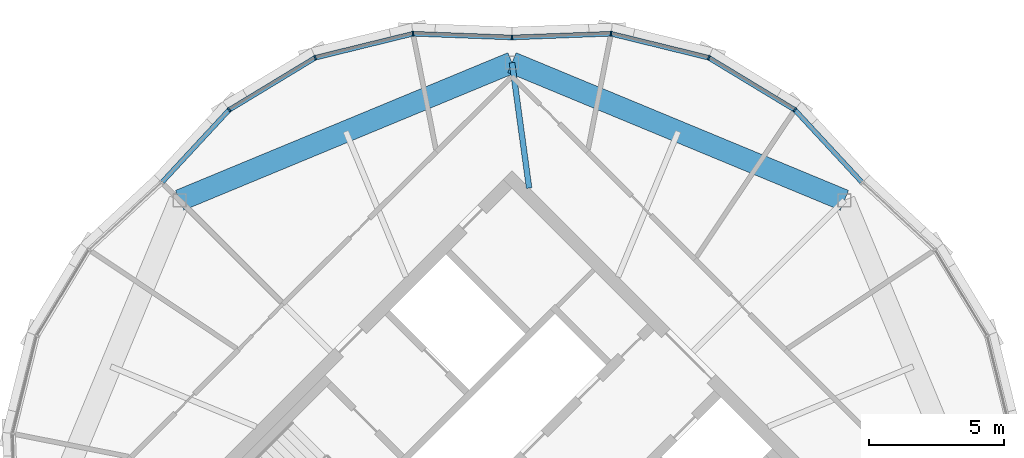
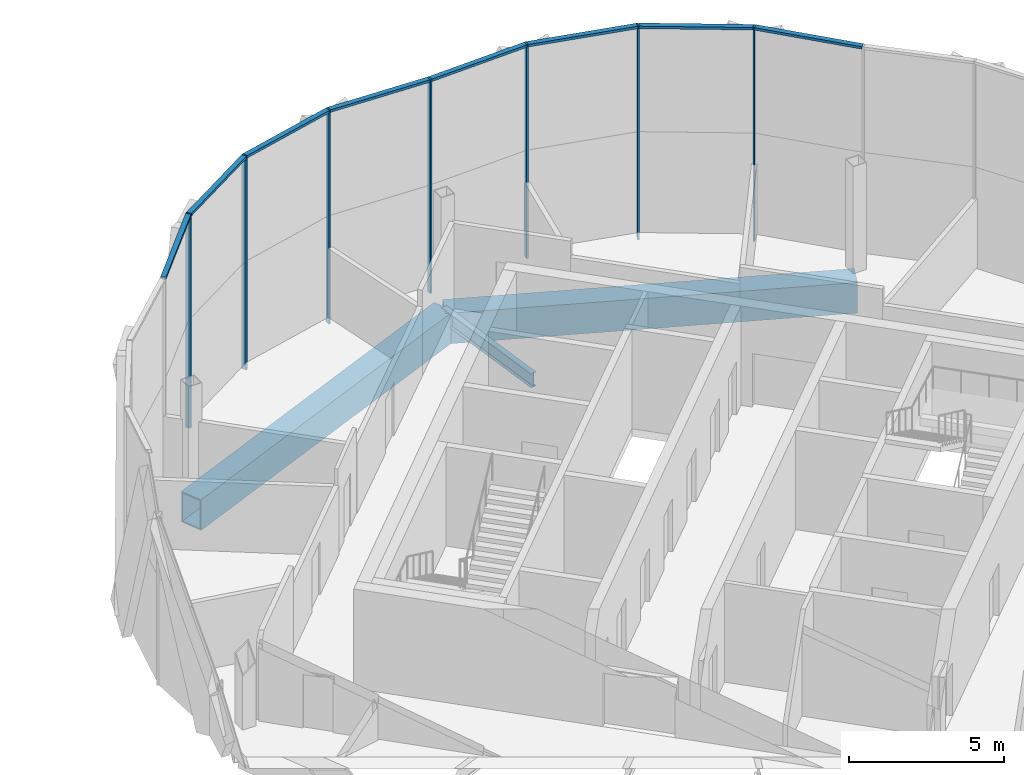
# One storey, part 11 of 22: 15 members, 3 beams, 2 elements without a shape of their own.
"""IFC4 building model written with IfcOpenShell, lengths in metres."""

from ifc_helpers import new_model, si_unit, direction, frame, origin, origin_2d, place, context, subcontext, project, spatial, rectangle, hollow_rectangle, i_section, extrude, material, material_profile, profile_set, type_object, element, aggregate, save


model = new_model("IFC4")

# Units and contexts
model_context = context("Model", 3, precision=1e-05, world=origin(), true_north=direction((0.0, 1.0)))
body_context = subcontext(model_context, "Body", "Model", "MODEL_VIEW")
ifc_project = project(units=[si_unit("LENGTHUNIT", "METRE"), si_unit("AREAUNIT", "SQUARE_METRE"), si_unit("VOLUMEUNIT", "CUBIC_METRE"), si_unit("PLANEANGLEUNIT", "RADIAN"), si_unit("MASSUNIT", "GRAM", prefix="KILO")], contexts=[model_context])

# Site, building, storey
site_placement = place(None, origin())
site = spatial("IfcSite", under=ifc_project, at=site_placement, CompositionType="ELEMENT")
building_placement = place(site_placement, origin())
building = spatial("IfcBuilding", under=site, at=building_placement, Name="Ogive Gate Towers", CompositionType="ELEMENT")
storey_placement = place(building_placement, frame((0.0, 0.0, 285.60009765625)))
storey = spatial("IfcBuildingStorey", under=building, at=storey_placement, Name="L67", CompositionType="ELEMENT", Elevation=285.60009765625)

# Beams
ifc_material_1 = material(Name="Steel SM460", Category="steel")
ifc_material_profile_1 = material_profile(ifc_material_1, hollow_rectangle(XDim=0.800048828125, YDim=1.199951171875, WallThickness=0.050048828125, at=origin_2d()), Name="BX 1200x800x50")
ifc_profile_set_1 = profile_set([ifc_material_profile_1], Name="Steel SM460")
beam_type_1 = type_object("IfcBeamType", Name="Edge girder BX 1200x800x50", PredefinedType="BEAM", material=ifc_profile_set_1)
for number, where, z_axis, x_axis, name in (
    (1, (48.342529296875, 12.342529296875, -0.900146484375), (-0.923876732551, 0.382690191996, 0.0), (-0.382690191996, -0.923876732551, 0.0), "T2/L67/SBM021"),
    (2, (36.0, 17.455078125, -0.900146484375), (-0.923876732551, -0.382690191996, 0.0), (0.382690191996, -0.923876732551, 0.0), "T2/L67/SBM022"),
):
    element("IfcBeam", number, at=place(storey_placement, frame(where, z_axis=z_axis, x_axis=x_axis)), inside=storey, type_object=beam_type_1, Name=name, PredefinedType="BEAM", context=body_context, shape_type="SweptSolid", body=[
        extrude(hollow_rectangle(XDim=0.800048828125, YDim=1.199951171875, WallThickness=0.050048828125, at=origin_2d()), origin(), (0.0, 0.0, 1.0), 13.359619140625),
    ])
ifc_material_2 = material(Name="Steel SM355", Category="steel")
ifc_material_profile_2 = material_profile(ifc_material_2, i_section(OverallWidth=0.2099609375, OverallDepth=0.550048828125, WebThickness=0.010986328125, FlangeThickness=0.01708984375, FilletRadius=0.02392578125, at=origin_2d()), Name="IPE 550")
ifc_profile_set_2 = profile_set([ifc_material_profile_2], Name="Steel SM355")
beam_type_2 = type_object("IfcBeamType", Name="Radial floor beam IPE 550", PredefinedType="BEAM", material=ifc_profile_set_2)
beam_placement = place(storey_placement, frame((36.636474609375, 12.798583984375, -0.5751953125), z_axis=(-0.135426145155, 0.99078744401, 0.0), x_axis=(-0.99078744401, -0.135426145155, 0.0)))
element("IfcBeam", 3, at=beam_placement, inside=storey, type_object=beam_type_2, Name="T2/L67/SBM011", PredefinedType="BEAM", context=body_context, shape_type="SweptSolid", body=[
    extrude(i_section(OverallWidth=0.2099609375, OverallDepth=0.550048828125, WebThickness=0.010986328125, FlangeThickness=0.01708984375, FilletRadius=0.02392578125, at=origin_2d()), origin(), (0.0, 0.0, 1.0), 4.69970703125),
])

# Curtain wall, members
ifc_material_3 = material(Name="Pale metal aluminium", Category="aluminium")
curtain_wall_type = type_object("IfcCurtainWallType", Name="Tower unitised wall, high zone", PredefinedType="NOTDEFINED", material=ifc_material_3)
curtain_wall_1_placement = place(storey_placement, origin())
curtain_wall_1 = element("IfcCurtainWall", 4, at=curtain_wall_1_placement, inside=storey, type_object=curtain_wall_type, Name="CW2 T2 ECW02", PredefinedType="NOTDEFINED")
ifc_material_profile_3 = material_profile(ifc_material_3, rectangle(XDim=0.179931640625, YDim=0.06005859375, at=origin_2d()), Name="60 x 180 aluminium box")
ifc_profile_set_3 = profile_set([ifc_material_profile_3], Name="Pale metal aluminium")
member_type_1 = type_object("IfcMemberType", Name="Tower unitised wall, high zone mullion 60 x 180", PredefinedType="MULLION", material=ifc_profile_set_3)
member_1_placement = place(storey_placement, frame((46.502197265625, 15.7021484375, -0.300048828125), z_axis=(0.0, 0.0, 1.0), x_axis=(0.631812872699, 0.775120954363, 0.0)))
member_1 = element("IfcMember", 5, at=member_1_placement, type_object=member_type_1, Name="CW2 mullion", PredefinedType="MULLION", context=body_context, shape_type="SweptSolid", body=[
    extrude(rectangle(XDim=0.179931640625, YDim=0.06005859375, at=origin_2d()), origin(), (0.0, 0.0, 1.0), 8.39990234375),
])
member_2_placement = place(storey_placement, frame((43.305908203125, 17.637939453125, -0.300048828125), z_axis=(0.0, 0.0, 1.0), x_axis=(0.382683432365, 0.923879532511, 0.0)))
member_2 = element("IfcMember", 6, at=member_2_placement, type_object=member_type_1, Name="CW2 mullion", PredefinedType="MULLION", context=body_context, shape_type="SweptSolid", body=[
    extrude(rectangle(XDim=0.179931640625, YDim=0.06005859375, at=origin_2d()), origin(), (0.0, 0.0, 1.0), 8.39990234375),
])
member_3_placement = place(storey_placement, frame((39.677001953125, 18.529296875, -0.300048828125), z_axis=(0.0, 0.0, 1.0), x_axis=(0.101351479779, 0.99485068103, 0.0)))
member_3 = element("IfcMember", 7, at=member_3_placement, type_object=member_type_1, Name="CW2 mullion", PredefinedType="MULLION", context=body_context, shape_type="SweptSolid", body=[
    extrude(rectangle(XDim=0.179931640625, YDim=0.06005859375, at=origin_2d()), origin(), (0.0, 0.0, 1.0), 8.39990234375),
])
member_4_placement = place(storey_placement, frame((36.00048828125, 18.39013671875, -0.300048828125), z_axis=(0.0, 0.0, 1.0), x_axis=(-0.037794827812, 0.999285520255, 0.0)))
member_4 = element("IfcMember", 8, at=member_4_placement, type_object=member_type_1, Name="CW2 mullion", PredefinedType="MULLION", context=body_context, shape_type="SweptSolid", body=[
    extrude(rectangle(XDim=0.179931640625, YDim=0.06005859375, at=origin_2d()), origin(), (0.0, 0.0, 1.0), 8.39990234375),
])

curtain_wall_2_placement = place(storey_placement, origin())
curtain_wall_2 = element("IfcCurtainWall", 9, at=curtain_wall_2_placement, inside=storey, type_object=curtain_wall_type, Name="CW2 T2 ECW03", PredefinedType="NOTDEFINED")
member_5_placement = place(storey_placement, frame((32.322998046875, 18.529296875, -0.300048828125), z_axis=(0.0, 0.0, 1.0), x_axis=(-0.101351479779, 0.99485068103, 0.0)))
member_5 = element("IfcMember", 10, at=member_5_placement, type_object=member_type_1, Name="CW2 mullion", PredefinedType="MULLION", context=body_context, shape_type="SweptSolid", body=[
    extrude(rectangle(XDim=0.179931640625, YDim=0.06005859375, at=origin_2d()), origin(), (0.0, 0.0, 1.0), 8.39990234375),
])
member_6_placement = place(storey_placement, frame((28.694091796875, 17.637939453125, -0.300048828125), z_axis=(0.0, 0.0, 1.0), x_axis=(-0.382683432365, 0.923879532511, 0.0)))
member_6 = element("IfcMember", 11, at=member_6_placement, type_object=member_type_1, Name="CW2 mullion", PredefinedType="MULLION", context=body_context, shape_type="SweptSolid", body=[
    extrude(rectangle(XDim=0.179931640625, YDim=0.06005859375, at=origin_2d()), origin(), (0.0, 0.0, 1.0), 8.39990234375),
])
member_7_placement = place(storey_placement, frame((25.497802734375, 15.7021484375, -0.300048828125), z_axis=(0.0, 0.0, 1.0), x_axis=(-0.631812872699, 0.775120954363, 0.0)))
member_7 = element("IfcMember", 12, at=member_7_placement, type_object=member_type_1, Name="CW2 mullion", PredefinedType="MULLION", context=body_context, shape_type="SweptSolid", body=[
    extrude(rectangle(XDim=0.179931640625, YDim=0.06005859375, at=origin_2d()), origin(), (0.0, 0.0, 1.0), 8.39990234375),
])

# Member
ifc_material_profile_4 = material_profile(ifc_material_3, rectangle(XDim=0.179931640625, YDim=0.10009765625, at=origin_2d()), Name="100 x 180 aluminium box")
ifc_profile_set_4 = profile_set([ifc_material_profile_4], Name="Pale metal aluminium")
member_type_2 = type_object("IfcMemberType", Name="Tower unitised wall, high zone transom 100 x 180", PredefinedType="USERDEFINED", material=ifc_profile_set_4)
member_8_placement = place(storey_placement, frame((48.983154296875, 13.02587890625, 8.0498046875), z_axis=(-0.679866392471, 0.733335999654, 0.0), x_axis=(-0.733335999654, -0.679866392471, 0.0)))
member_8 = element("IfcMember", 13, at=member_8_placement, type_object=member_type_2, Name="CW2 transom", ObjectType="TRANSOM", PredefinedType="USERDEFINED", context=body_context, shape_type="SweptSolid", body=[
    extrude(rectangle(XDim=0.179931640625, YDim=0.10009765625, at=origin_2d()), origin(), (0.0, 0.0, 1.0), 3.620849609375),
])

member_9_placement = place(storey_placement, frame((46.477783203125, 15.716796875, 8.0498046875), z_axis=(-0.855372442669, 0.518013498205, 0.0), x_axis=(-0.518013498205, -0.855372442669, 0.0)))
member_9 = element("IfcMember", 14, at=member_9_placement, type_object=member_type_2, Name="CW2 transom", ObjectType="TRANSOM", PredefinedType="USERDEFINED", context=body_context, shape_type="SweptSolid", body=[
    extrude(rectangle(XDim=0.179931640625, YDim=0.10009765625, at=origin_2d()), origin(), (0.0, 0.0, 1.0), 3.679931640625),
])

member_10_placement = place(storey_placement, frame((43.2783203125, 17.64453125, 8.0498046875), z_axis=(-0.971141005493, 0.238506074242, 0.0), x_axis=(-0.238506074242, -0.971141005493, 0.0)))
member_10 = element("IfcMember", 15, at=member_10_placement, type_object=member_type_2, Name="CW2 transom", ObjectType="TRANSOM", PredefinedType="USERDEFINED", context=body_context, shape_type="SweptSolid", body=[
    extrude(rectangle(XDim=0.179931640625, YDim=0.10009765625, at=origin_2d()), origin(), (0.0, 0.0, 1.0), 3.679931640625),
])

member_11_placement = place(storey_placement, frame((39.648193359375, 18.528076171875, 8.0498046875), z_axis=(-0.999284103916, -0.03783225687, 0.0), x_axis=(0.03783225687, -0.999284103916, 0.0)))
member_11 = element("IfcMember", 16, at=member_11_placement, type_object=member_type_2, Name="CW2 transom", ObjectType="TRANSOM", PredefinedType="USERDEFINED", context=body_context, shape_type="SweptSolid", body=[
    extrude(rectangle(XDim=0.179931640625, YDim=0.10009765625, at=origin_2d()), origin(), (0.0, 0.0, 1.0), 3.620361328125),
])

aggregate(curtain_wall_1, [member_1, member_8, member_2, member_9, member_3, member_10, member_4, member_11])

member_12_placement = place(storey_placement, frame((35.969482421875, 18.39111328125, 8.0498046875), z_axis=(-0.999284103916, 0.03783225687, 0.0), x_axis=(-0.03783225687, -0.999284103916, 0.0)))
member_12 = element("IfcMember", 17, at=member_12_placement, type_object=member_type_2, Name="CW2 transom", ObjectType="TRANSOM", PredefinedType="USERDEFINED", context=body_context, shape_type="SweptSolid", body=[
    extrude(rectangle(XDim=0.179931640625, YDim=0.10009765625, at=origin_2d()), origin(), (0.0, 0.0, 1.0), 3.620361328125),
])

member_13_placement = place(storey_placement, frame((32.29541015625, 18.522216796875, 8.0498046875), z_axis=(-0.971141005493, -0.238506074242, 0.0), x_axis=(0.238506074242, -0.971141005493, 0.0)))
member_13 = element("IfcMember", 18, at=member_13_placement, type_object=member_type_2, Name="CW2 transom", ObjectType="TRANSOM", PredefinedType="USERDEFINED", context=body_context, shape_type="SweptSolid", body=[
    extrude(rectangle(XDim=0.179931640625, YDim=0.10009765625, at=origin_2d()), origin(), (0.0, 0.0, 1.0), 3.679931640625),
])

member_14_placement = place(storey_placement, frame((28.669921875, 17.623046875, 8.0498046875), z_axis=(-0.855372442669, -0.518013498205, 0.0), x_axis=(0.518013498205, -0.855372442669, 0.0)))
member_14 = element("IfcMember", 19, at=member_14_placement, type_object=member_type_2, Name="CW2 transom", ObjectType="TRANSOM", PredefinedType="USERDEFINED", context=body_context, shape_type="SweptSolid", body=[
    extrude(rectangle(XDim=0.179931640625, YDim=0.10009765625, at=origin_2d()), origin(), (0.0, 0.0, 1.0), 3.679931640625),
])

member_15_placement = place(storey_placement, frame((25.478515625, 15.68115234375, 8.0498046875), z_axis=(-0.679866392471, -0.733335999654, 0.0), x_axis=(0.733335999654, -0.679866392471, 0.0)))
member_15 = element("IfcMember", 20, at=member_15_placement, type_object=member_type_2, Name="CW2 transom", ObjectType="TRANSOM", PredefinedType="USERDEFINED", context=body_context, shape_type="SweptSolid", body=[
    extrude(rectangle(XDim=0.179931640625, YDim=0.10009765625, at=origin_2d()), origin(), (0.0, 0.0, 1.0), 3.620849609375),
])

aggregate(curtain_wall_2, [member_5, member_12, member_6, member_13, member_7, member_14, member_15])

save(model, "model.ifc")
